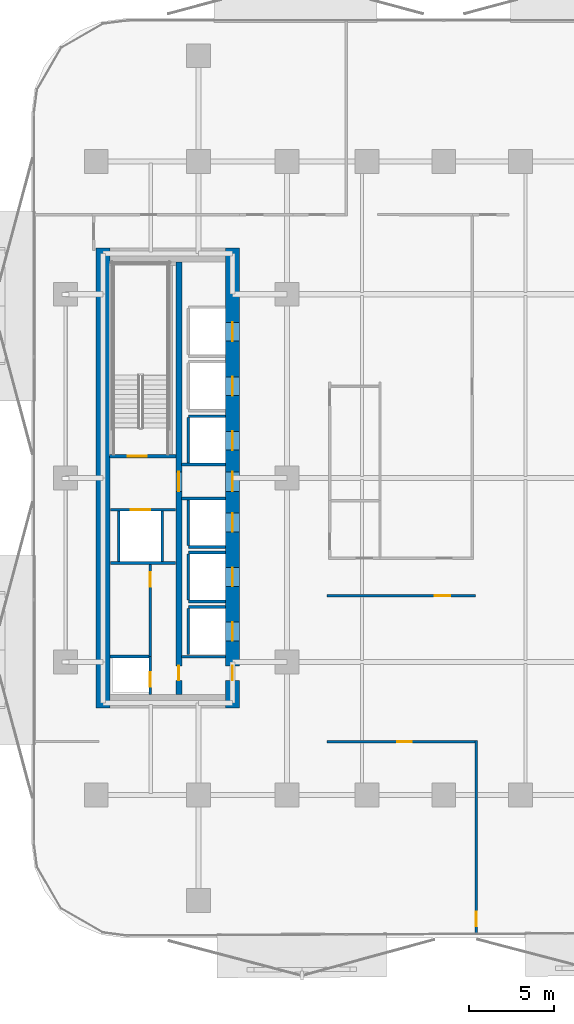
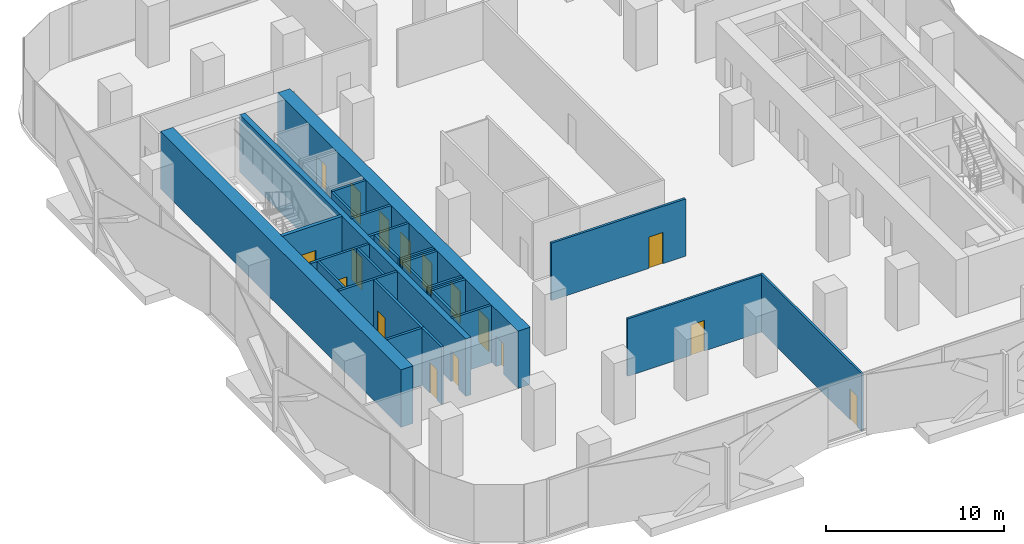
# One storey, part 3 of 15: 26 walls, 17 doors, 17 openings.
"""IFC4 building model written with IfcOpenShell, lengths in metres."""

import ifcopenshell
import ifcopenshell.guid

model = None  # the IFC model being written
_history = None  # IfcOwnerHistory: only IFC2X3 demands one
_inside = {}  # id of a spatial element -> (the spatial element, [elements in it])
_under = {}  # id of a project, library or spatial element -> (it, [spatial elements below it])
_declared = {}  # id of a project -> (the project, [libraries it declares])
_typed = {}  # id of a type object -> (the type object, [elements of that type])
_made_of = {}  # id of a material, layer set ... -> (it, [elements and type objects made of it])


def new_model(schema):
    """Start an empty IFC model of exactly this schema.

    Asked for "IFC4X3", IfcOpenShell would pick the latest addendum, in which some entities
    have other attributes; the version numbers below select the first issue.
    IFC2X3 requires an IfcOwnerHistory on every rooted entity: one is made here for all.
    """
    global model, _history
    if schema == "IFC4X3":
        model = ifcopenshell.file(schema_version=(4, 3, 0, 0))
    else:
        model = ifcopenshell.file(schema=schema)
    _inside.clear()
    _under.clear()
    _declared.clear()
    _typed.clear()
    _made_of.clear()
    _history = None
    if model.schema == "IFC2X3":
        org = make("IfcOrganization", Name="unknown")
        user = make(
            "IfcPersonAndOrganization",
            ThePerson=make("IfcPerson", FamilyName="unknown"),
            TheOrganization=org,
        )
        app = make(
            "IfcApplication",
            ApplicationDeveloper=org,
            Version="unknown",
            ApplicationFullName="unknown",
            ApplicationIdentifier="unknown",
        )
        _history = make(
            "IfcOwnerHistory",
            OwningUser=user,
            OwningApplication=app,
            ChangeAction="ADDED",
            CreationDate=0,
        )
    return model


def make(cls, **values):
    """One entity of the class cls with the attributes given. An attribute that is None is left unset."""
    return model.create_entity(
        cls, **{name: value for name, value in values.items() if value is not None}
    )


def rooted(cls, **values):
    """An entity with a GlobalId (a new one), such as an element, a storey or a relation."""
    return make(cls, GlobalId=ifcopenshell.guid.new(), OwnerHistory=_history, **values)


def si_unit(unit_type, name, prefix=None):
    """IfcSIUnit, for example si_unit("LENGTHUNIT", "METRE", prefix="MILLI")."""
    return make("IfcSIUnit", UnitType=unit_type, Prefix=prefix, Name=name)


def assignment(units):
    """IfcUnitAssignment: the units of a project."""
    return None if units is None else make("IfcUnitAssignment", Units=units)


def point(xyz):
    """IfcCartesianPoint."""
    return None if xyz is None else make("IfcCartesianPoint", Coordinates=xyz)


def direction(xyz):
    """IfcDirection."""
    return None if xyz is None else make("IfcDirection", DirectionRatios=xyz)


def frame(location, z_axis=None, x_axis=None):
    """IfcAxis2Placement3D, a coordinate frame: its origin and axes. An axis left out is left unset."""
    return make(
        "IfcAxis2Placement3D",
        Location=point(location),
        Axis=direction(z_axis),
        RefDirection=direction(x_axis),
    )


def frame_2d(location, x_axis=None):
    """IfcAxis2Placement2D, a coordinate frame in the plane: its origin and x axis."""
    return make(
        "IfcAxis2Placement2D", Location=point(location), RefDirection=direction(x_axis)
    )


def origin():
    """The frame at (0, 0, 0) with its axes left unset."""
    return frame((0.0, 0.0, 0.0))


def place(relative_to, where):
    """IfcLocalPlacement: puts the frame where relative to a parent placement (None: the world)."""
    return make(
        "IfcLocalPlacement", PlacementRelTo=relative_to, RelativePlacement=where
    )


def context(
    kind, dimensions, precision=None, world=None, true_north=None, identifier=None
):
    """IfcGeometricRepresentationContext, for example the 3D "Model" context."""
    return make(
        "IfcGeometricRepresentationContext",
        ContextIdentifier=identifier,
        ContextType=kind,
        CoordinateSpaceDimension=dimensions,
        Precision=precision,
        WorldCoordinateSystem=world,
        TrueNorth=true_north,
    )


def subcontext(parent, identifier, kind, view, scale=None):
    """IfcGeometricRepresentationSubContext, for example "Body" below "Model"."""
    return make(
        "IfcGeometricRepresentationSubContext",
        ContextIdentifier=identifier,
        ContextType=kind,
        ParentContext=parent,
        TargetScale=scale,
        TargetView=view,
    )


def project(units=None, contexts=None):
    """IfcProject with its units and contexts."""
    return rooted(
        "IfcProject",
        Name="project",
        RepresentationContexts=contexts,
        UnitsInContext=assignment(units),
    )


def spatial(cls, under=None, at=None, **own):
    """A site, building, storey or space (cls), placed at a placement, below another one or the project."""
    s = rooted(cls, ObjectPlacement=at, **own)
    if under is not None:
        _under.setdefault(under.id(), (under, []))[1].append(s)
    return s


def profile(cls, at=None, kind="AREA", **sizes):
    """A parametric profile (cls). Its sizes go by their IFC names, for example OverallWidth=200.0."""
    return make(cls, ProfileType=kind, Position=at, **sizes)


def rectangle(**sizes):
    """IfcRectangleProfileDef."""
    return profile("IfcRectangleProfileDef", **sizes)


def extrude(swept, where, along, depth):
    """IfcExtrudedAreaSolid: the profile swept, set in the frame where, extruded along a direction by depth."""
    return make(
        "IfcExtrudedAreaSolid",
        SweptArea=swept,
        Position=where,
        ExtrudedDirection=direction(along),
        Depth=depth,
    )


def shape(context_of_items, identifier, shape_type, items):
    """IfcShapeRepresentation: the items that make up one representation, for example the "Body"."""
    return make(
        "IfcShapeRepresentation",
        ContextOfItems=context_of_items,
        RepresentationIdentifier=identifier,
        RepresentationType=shape_type,
        Items=items,
    )


def material(Name=None, Category=None):
    """IfcMaterial."""
    return make("IfcMaterial", Name=Name, Category=Category)


def layer(
    of_material, thickness, ventilated=None, Name=None, Category=None, Priority=None
):
    """IfcMaterialLayer: one layer of a wall or slab, of a material (None: an air gap)."""
    return make(
        "IfcMaterialLayer",
        Material=of_material,
        LayerThickness=thickness,
        IsVentilated=ventilated,
        Name=Name,
        Category=Category,
        Priority=Priority,
    )


def layer_set(layers, Name=None):
    """IfcMaterialLayerSet."""
    return make("IfcMaterialLayerSet", MaterialLayers=layers, LayerSetName=Name)


def made_of(thing, what):
    """Note that an element or type object is made of a material, layer set ...; save() writes the relation."""
    if what is not None:
        _made_of.setdefault(what.id(), (what, []))[1].append(thing)
    return thing


def type_object(cls, material=None, **own):
    """A type object (cls), such as IfcWallType, which elements share."""
    return made_of(rooted(cls, **own), material)


def element(
    cls,
    number,
    at=None,
    inside=None,
    cuts=None,
    type_object=None,
    material=None,
    context=None,
    identifier="Body",
    shape_type=None,
    held_by="IfcProductDefinitionShape",
    body=None,
    shapes=None,
    **own,
):
    """One element of the class cls, such as IfcWall. Its Tag is "e" and its number.

    at: its placement. inside: the storey or other place that contains it. cuts: it is an
    opening in that element (IfcRelVoidsElement). A single representation is given by context,
    identifier, shape_type and body (its items); several are given by shapes. held_by: the class
    of the entity that holds the representations. save() writes the other relations.
    """
    e = rooted(cls, Tag="e%d" % number, ObjectPlacement=at, **own)
    if body is not None:
        shapes = [shape(context, identifier, shape_type, body)]
    if shapes is not None:
        e.Representation = make(held_by, Representations=shapes)
    if inside is not None:
        _inside.setdefault(inside.id(), (inside, []))[1].append(e)
    if cuts is not None:
        rooted(
            "IfcRelVoidsElement", RelatingBuildingElement=cuts, RelatedOpeningElement=e
        )
    if type_object is not None:
        _typed.setdefault(type_object.id(), (type_object, []))[1].append(e)
    return made_of(e, material)


def fill(opening, filler):
    """IfcRelFillsElement: the door or window that sits in an opening."""
    return rooted(
        "IfcRelFillsElement",
        RelatingOpeningElement=opening,
        RelatedBuildingElement=filler,
    )


def aggregate(whole, parts):
    """IfcRelAggregates: a whole, such as a stair, and the parts it consists of."""
    return rooted("IfcRelAggregates", RelatingObject=whole, RelatedObjects=parts)


def save(model, path):
    """Write the relations noted so far, then the file.

    IfcRelAggregates (storeys below a building ...), IfcRelContainedInSpatialStructure (elements
    in a storey), IfcRelDefinesByType, IfcRelAssociatesMaterial and IfcRelDeclares: one each for
    every whole, place, type object, material and project.
    """
    for whole, parts in _under.values():
        aggregate(whole, parts)
    for where, things in _inside.values():
        rooted(
            "IfcRelContainedInSpatialStructure",
            RelatedElements=things,
            RelatingStructure=where,
        )
    for kind, things in _typed.values():
        rooted("IfcRelDefinesByType", RelatedObjects=things, RelatingType=kind)
    for what, things in _made_of.values():
        rooted("IfcRelAssociatesMaterial", RelatedObjects=things, RelatingMaterial=what)
    for by, libraries in _declared.values():
        rooted("IfcRelDeclares", RelatingContext=by, RelatedDefinitions=libraries)
    model.write(path)


model = new_model("IFC4")

# Units and contexts
model_context = context("Model", 3, precision=1e-05, world=origin(), true_north=direction((0.0, 1.0)))
body_context = subcontext(model_context, "Body", "Model", "MODEL_VIEW")
ifc_project = project(units=[si_unit("LENGTHUNIT", "METRE"), si_unit("AREAUNIT", "SQUARE_METRE"), si_unit("VOLUMEUNIT", "CUBIC_METRE"), si_unit("PLANEANGLEUNIT", "RADIAN"), si_unit("MASSUNIT", "GRAM", prefix="KILO")], contexts=[model_context])

# Site, building, storey
site_placement = place(None, origin())
site = spatial("IfcSite", under=ifc_project, at=site_placement, CompositionType="ELEMENT")
building_placement = place(site_placement, origin())
building = spatial("IfcBuilding", under=site, at=building_placement, Name="Khairoan Windgate Tower", CompositionType="ELEMENT")
storey_placement = place(building_placement, frame((0.0, 0.0, 68.0)))
storey = spatial("IfcBuildingStorey", under=building, at=storey_placement, Name="L16", CompositionType="ELEMENT", Elevation=68.0)

# Walls
ifc_material_1 = material(Name="Concrete C40/50", Category="concrete")
ifc_layer_1 = layer(ifc_material_1, 0.159912109375, Name="Concrete C40/50")
ifc_layer_set_1 = layer_set([ifc_layer_1], Name="Concrete C40/50")
wall_type_1 = type_object("IfcWallType", Name="Core and Hoistway Enclosure Wall", PredefinedType="STANDARD", material=ifc_layer_set_1)
wall_1_placement = place(storey_placement, frame((-14.989990234375, 3.639892578125, 0.0), z_axis=(0.0, 0.0, 1.0), x_axis=(1.0, 0.0, 0.0)))
element("IfcWall", 1, at=wall_1_placement, inside=storey, type_object=wall_type_1, Name="L16 Lift PL3 Hoistway Divider N", PredefinedType="STANDARD", context=body_context, shape_type="SweptSolid", body=[
    extrude(rectangle(XDim=2.18994140625, YDim=0.159912109375, at=frame_2d((1.094970703125, 0.0))), origin(), (0.0, 0.0, 1.0), 3.93994140625),
])
wall_2_placement = place(storey_placement, frame((-14.989990234375, 0.85009765625, 0.0), z_axis=(0.0, 0.0, 1.0), x_axis=(0.0, 1.0, 0.0)))
element("IfcWall", 2, at=wall_2_placement, inside=storey, type_object=wall_type_1, Name="L16 Lift PL3 Hoistway Back Wall", PredefinedType="STANDARD", context=body_context, shape_type="SweptSolid", body=[
    extrude(rectangle(XDim=2.699951171875, YDim=0.159912109375, at=frame_2d((1.35009765625, 0.0))), origin(), (0.0, 0.0, 1.0), 3.93994140625),
])
wall_3_placement = place(storey_placement, frame((-14.989990234375, -4.0400390625, 0.0), z_axis=(0.0, 0.0, 1.0), x_axis=(1.0, 0.0, 0.0)))
element("IfcWall", 3, at=wall_3_placement, inside=storey, type_object=wall_type_1, Name="L16 Lift PL4 Hoistway Divider S", PredefinedType="STANDARD", context=body_context, shape_type="SweptSolid", body=[
    extrude(rectangle(XDim=2.18994140625, YDim=0.159912109375, at=frame_2d((1.094970703125, 0.0))), origin(), (0.0, 0.0, 1.0), 3.93994140625),
])
wall_4_placement = place(storey_placement, frame((-14.989990234375, -3.949951171875, 0.0), z_axis=(0.0, 0.0, 1.0), x_axis=(0.0, 1.0, 0.0)))
element("IfcWall", 4, at=wall_4_placement, inside=storey, type_object=wall_type_1, Name="L16 Lift PL4 Hoistway Back Wall", PredefinedType="STANDARD", context=body_context, shape_type="SweptSolid", body=[
    extrude(rectangle(XDim=2.699951171875, YDim=0.159912109375, at=frame_2d((1.35009765625, 0.0))), origin(), (0.0, 0.0, 1.0), 3.93994140625),
])
for number, where, z_axis, x_axis, name in (
    (5, (-14.989990234375, -7.239990234375, 0.0), (0.0, 0.0, 1.0), (1.0, 0.0, 0.0), "L16 Lift PL5 Hoistway Divider S"),
    (6, (-14.989990234375, -4.360107421875, 0.0), (0.0, 0.0, 1.0), (1.0, 0.0, 0.0), "L16 Lift PL5 Hoistway Divider N"),
):
    element("IfcWall", number, at=place(storey_placement, frame(where, z_axis=z_axis, x_axis=x_axis)), inside=storey, type_object=wall_type_1, Name=name, PredefinedType="STANDARD", context=body_context, shape_type="SweptSolid", body=[
        extrude(rectangle(XDim=2.18994140625, YDim=0.159912109375, at=frame_2d((1.094970703125, 0.0))), origin(), (0.0, 0.0, 1.0), 3.93994140625),
    ])
wall_5_placement = place(storey_placement, frame((-14.989990234375, -7.14990234375, 0.0), z_axis=(0.0, 0.0, 1.0), x_axis=(0.0, 1.0, 0.0)))
element("IfcWall", 7, at=wall_5_placement, inside=storey, type_object=wall_type_1, Name="L16 Lift PL5 Hoistway Back Wall", PredefinedType="STANDARD", context=body_context, shape_type="SweptSolid", body=[
    extrude(rectangle(XDim=2.699951171875, YDim=0.159912109375, at=frame_2d((1.35009765625, 0.0))), origin(), (0.0, 0.0, 1.0), 3.93994140625),
])
wall_6_placement = place(storey_placement, frame((-14.989990234375, -7.56005859375, 0.0), z_axis=(0.0, 0.0, 1.0), x_axis=(1.0, 0.0, 0.0)))
element("IfcWall", 8, at=wall_6_placement, inside=storey, type_object=wall_type_1, Name="L16 Lift PL6 Hoistway Divider N", PredefinedType="STANDARD", context=body_context, shape_type="SweptSolid", body=[
    extrude(rectangle(XDim=2.18994140625, YDim=0.159912109375, at=frame_2d((1.094970703125, 0.0))), origin(), (0.0, 0.0, 1.0), 3.93994140625),
])
wall_7_placement = place(storey_placement, frame((-14.989990234375, -10.35009765625, 0.0), z_axis=(0.0, 0.0, 1.0), x_axis=(0.0, 1.0, 0.0)))
element("IfcWall", 9, at=wall_7_placement, inside=storey, type_object=wall_type_1, Name="L16 Lift PL6 Hoistway Back Wall", PredefinedType="STANDARD", context=body_context, shape_type="SweptSolid", body=[
    extrude(rectangle(XDim=2.7001953125, YDim=0.159912109375, at=frame_2d((1.35009765625, 0.0))), origin(), (0.0, 0.0, 1.0), 3.93994140625),
])

# Wall, opening, door
wall_8_placement = place(storey_placement, frame((-19.550048828125, -1.860107421875, 0.0), z_axis=(0.0, 0.0, 1.0), x_axis=(1.0, 0.0, 0.0)))
wall_8 = element("IfcWall", 10, at=wall_8_placement, inside=storey, type_object=wall_type_1, Name="L16 Core Shaft Wall SW-FL2-L16", PredefinedType="STANDARD", context=body_context, shape_type="SweptSolid", body=[
    extrude(rectangle(XDim=3.800048828125, YDim=0.159912109375, at=frame_2d((1.89990234375, 0.0))), origin(), (0.0, 0.0, 1.0), 3.93994140625),
])
opening_1_placement = place(wall_8_placement, frame((1.179931640625, 0.0, 0.0)))
opening_1 = element("IfcOpeningElement", 11, at=opening_1_placement, cuts=wall_8, Name="Opening LD-FL", PredefinedType="OPENING", context=body_context, shape_type="SweptSolid", body=[
    extrude(rectangle(XDim=1.14990234375, YDim=2.199951171875, at=frame_2d((0.574951171875, 1.10009765625))), frame((0.0, 0.08984375, 0.0), z_axis=(0.0, -1.0, 0.0), x_axis=(1.0, 0.0, 0.0)), (0.0, 0.0, 1.0), 0.179931640625),
])
ifc_material_2 = material(Name="Steel S355", Category="steel")
door_type_1 = type_object("IfcDoorType", Name="Firefighting Lift Sliding Landing Door LD-FL 1150x2200", OperationType="DOUBLE_DOOR_SLIDING", PredefinedType="DOOR", material=ifc_material_2)
door_1_placement = place(opening_1_placement, origin())
door_1 = element("IfcDoor", 12, at=door_1_placement, inside=storey, type_object=door_type_1, Name="L16 Firefighting Lift FL2 Landing Door", OperationType="DOUBLE_DOOR_SLIDING", OverallHeight=2.199951171875, OverallWidth=1.14990234375, PredefinedType="DOOR", context=body_context, shape_type="SweptSolid", body=[
    extrude(rectangle(XDim=1.14990234375, YDim=2.199951171875, at=frame_2d((0.574951171875, 1.10009765625))), frame((0.0, 0.02490234375, 0.0), z_axis=(0.0, -1.0, 0.0), x_axis=(1.0, 0.0, 0.0)), (0.0, 0.0, 1.0), 0.050048828125),
])
fill(opening_1, door_1)

# Walls
wall_9_placement = place(storey_placement, frame((-19.550048828125, -4.97998046875, 0.0), z_axis=(0.0, 0.0, 1.0), x_axis=(1.0, 0.0, 0.0)))
element("IfcWall", 13, at=wall_9_placement, inside=storey, type_object=wall_type_1, Name="L16 Core Shaft Wall SW-FL2B-L16", PredefinedType="STANDARD", context=body_context, shape_type="SweptSolid", body=[
    extrude(rectangle(XDim=3.800048828125, YDim=0.159912109375, at=frame_2d((1.89990234375, 0.0))), origin(), (0.0, 0.0, 1.0), 3.93994140625),
])
for number, where, z_axis, x_axis, name in (
    (14, (-19.080078125, -4.89990234375, 0.0), (0.0, 0.0, 1.0), (0.0, 1.0, 0.0), "L16 Core Shaft Wall SW-FL2W-L16"),
    (15, (-16.52001953125, -4.89990234375, 0.0), (0.0, 0.0, 1.0), (0.0, 1.0, 0.0), "L16 Core Shaft Wall SW-FL2E-L16"),
):
    element("IfcWall", number, at=place(storey_placement, frame(where, z_axis=z_axis, x_axis=x_axis)), inside=storey, type_object=wall_type_1, Name=name, PredefinedType="STANDARD", context=body_context, shape_type="SweptSolid", body=[
        extrude(rectangle(XDim=2.9599609375, YDim=0.159912109375, at=frame_2d((1.47998046875, 0.0))), origin(), (0.0, 0.0, 1.0), 3.93994140625),
    ])
for number, where, z_axis, x_axis, name in (
    (16, (-15.39990234375, 0.800048828125, 0.0), (0.0, 0.0, 1.0), (1.0, 0.0, 0.0), "L16 Core Shaft Wall SW-WV1-L16"),
    (17, (-15.39990234375, -1.199951171875, 0.0), (0.0, 0.0, 1.0), (1.0, 0.0, 0.0), "L16 Core Shaft Wall SW-WV2-L16"),
    (18, (-15.39990234375, -10.47998046875, 0.0), (0.0, 0.0, 1.0), (1.0, 0.0, 0.0), "L16 Core Shaft Wall SW-WSV-L16"),
):
    element("IfcWall", number, at=place(storey_placement, frame(where, z_axis=z_axis, x_axis=x_axis)), inside=storey, type_object=wall_type_1, Name=name, PredefinedType="STANDARD", context=body_context, shape_type="SweptSolid", body=[
        extrude(rectangle(XDim=2.599853515625, YDim=0.159912109375, at=frame_2d((1.2998046875, 0.0))), origin(), (0.0, 0.0, 1.0), 3.93994140625),
    ])

# Wall, opening, door
ifc_material_3 = material(Name="Acoustic Fire-Rated Gypsum Partition", Category="gypsum")
ifc_layer_2 = layer(ifc_material_3, 0.139892578125, Name="Acoustic Fire-Rated Gypsum Partition")
ifc_layer_set_2 = layer_set([ifc_layer_2], Name="Acoustic Fire-Rated Gypsum Partition")
wall_type_2 = type_object("IfcWallType", Name="Inter-Tenancy Compartment Wall", PredefinedType="PARTITIONING", material=ifc_layer_set_2)
wall_10_placement = place(storey_placement, frame((1.904052734375, -26.755615234375, 0.0), z_axis=(0.0, 0.0, 1.0), x_axis=(0.0, 1.0, 0.0)))
wall_10 = element("IfcWall", 19, at=wall_10_placement, inside=storey, type_object=wall_type_2, Name="L16 Interior Partition 030", PredefinedType="PARTITIONING", context=body_context, shape_type="SweptSolid", body=[
    extrude(rectangle(XDim=11.345703125, YDim=0.139892578125, at=frame_2d((5.6728515625, 0.0))), origin(), (0.0, 0.0, 1.0), 3.93994140625),
])
opening_2_placement = place(wall_10_placement, frame((0.4599609375, 0.0, 0.0)))
opening_2 = element("IfcOpeningElement", 20, at=opening_2_placement, cuts=wall_10, Name="Opening FD-SRV", PredefinedType="OPENING", context=body_context, shape_type="SweptSolid", body=[
    extrude(rectangle(XDim=0.85009765625, YDim=2.10009765625, at=frame_2d((0.425048828125, 1.050048828125))), frame((0.0, 0.079833984375, 0.0), z_axis=(0.0, -1.0, 0.0), x_axis=(1.0, 0.0, 0.0)), (0.0, 0.0, 1.0), 0.159912109375),
])
ifc_material_4 = material(Name="Steel S355", Category="steel")
door_type_2 = type_object("IfcDoorType", Name="Core Service and Riser Fire Door FD-SRV 850x2100", OperationType="NOTDEFINED", PredefinedType="DOOR", material=ifc_material_4)
door_2_placement = place(opening_2_placement, origin())
door_2 = element("IfcDoor", 21, at=door_2_placement, inside=storey, type_object=door_type_2, Name="L16 L16-42-L16-43 Door", OperationType="SINGLE_SWING_LEFT", OverallHeight=2.10009765625, OverallWidth=0.85009765625, PredefinedType="DOOR", context=body_context, shape_type="SweptSolid", body=[
    extrude(rectangle(XDim=0.85009765625, YDim=2.10009765625, at=frame_2d((0.425048828125, 1.050048828125))), frame((0.0, 0.02490234375, 0.0), z_axis=(0.0, -1.0, 0.0), x_axis=(1.0, 0.0, 0.0)), (0.0, 0.0, 1.0), 0.050048828125),
])
fill(opening_2, door_2)

wall_11_placement = place(storey_placement, frame((-6.860107421875, -15.47998046875, 0.0), z_axis=(0.0, 0.0, 1.0), x_axis=(1.0, 0.0, 0.0)))
wall_11 = element("IfcWall", 22, at=wall_11_placement, inside=storey, type_object=wall_type_2, Name="L16 Interior Partition 031", PredefinedType="PARTITIONING", context=body_context, shape_type="SweptSolid", body=[
    extrude(rectangle(XDim=8.694091796875, YDim=0.139892578125, at=frame_2d((4.34716796875, 0.0))), origin(), (0.0, 0.0, 1.0), 3.93994140625),
])
opening_3_placement = place(wall_11_placement, frame((4.12548828125, 0.0, 0.0)))
opening_3 = element("IfcOpeningElement", 23, at=opening_3_placement, cuts=wall_11, Name="Opening FD-SRV", PredefinedType="OPENING", context=body_context, shape_type="SweptSolid", body=[
    extrude(rectangle(XDim=0.85009765625, YDim=2.10009765625, at=frame_2d((0.425048828125, 1.050048828125))), frame((0.0, 0.079833984375, 0.0), z_axis=(0.0, -1.0, 0.0), x_axis=(1.0, 0.0, 0.0)), (0.0, 0.0, 1.0), 0.159912109375),
])
door_3_placement = place(opening_3_placement, origin())
door_3 = element("IfcDoor", 24, at=door_3_placement, inside=storey, type_object=door_type_2, Name="L16 L16-42-L16-47 Door", OperationType="SINGLE_SWING_RIGHT", OverallHeight=2.10009765625, OverallWidth=0.85009765625, PredefinedType="DOOR", context=body_context, shape_type="SweptSolid", body=[
    extrude(rectangle(XDim=0.85009765625, YDim=2.10009765625, at=frame_2d((0.425048828125, 1.050048828125))), frame((0.0, 0.02490234375, 0.0), z_axis=(0.0, -1.0, 0.0), x_axis=(1.0, 0.0, 0.0)), (0.0, 0.0, 1.0), 0.050048828125),
])
fill(opening_3, door_3)

ifc_material_5 = material(Name="Concrete C40/50", Category="concrete")
ifc_layer_3 = layer(ifc_material_5, 0.159912109375, Name="Concrete C40/50")
ifc_layer_set_3 = layer_set([ifc_layer_3], Name="Concrete C40/50")
wall_type_3 = type_object("IfcWallType", Name="Plant and Refuge Compartment Wall", PredefinedType="PARTITIONING", material=ifc_layer_set_3)
wall_12_placement = place(storey_placement, frame((-17.22998046875, -12.699951171875, 0.0), z_axis=(0.0, 0.0, 1.0), x_axis=(0.0, 1.0, 0.0)))
wall_12 = element("IfcWall", 25, at=wall_12_placement, inside=storey, type_object=wall_type_3, Name="L16 Interior Partition 001", PredefinedType="PARTITIONING", context=body_context, shape_type="SweptSolid", body=[
    extrude(rectangle(XDim=2.22998046875, YDim=0.159912109375, at=frame_2d((1.114990234375, 0.0))), origin(), (0.0, 0.0, 1.0), 3.93994140625),
])
opening_4_placement = place(wall_12_placement, frame((0.4599609375, 0.0, 0.0)))
opening_4 = element("IfcOpeningElement", 26, at=opening_4_placement, cuts=wall_12, Name="Opening FD-SRV", PredefinedType="OPENING", context=body_context, shape_type="SweptSolid", body=[
    extrude(rectangle(XDim=0.85009765625, YDim=2.10009765625, at=frame_2d((0.425048828125, 1.050048828125))), frame((0.0, 0.08984375, 0.0), z_axis=(0.0, -1.0, 0.0), x_axis=(1.0, 0.0, 0.0)), (0.0, 0.0, 1.0), 0.179931640625),
])
door_4_placement = place(opening_4_placement, origin())
door_4 = element("IfcDoor", 27, at=door_4_placement, inside=storey, type_object=door_type_2, Name="L16 L16-04-L16-05 Door", OperationType="SINGLE_SWING_LEFT", OverallHeight=2.10009765625, OverallWidth=0.85009765625, PredefinedType="DOOR", context=body_context, shape_type="SweptSolid", body=[
    extrude(rectangle(XDim=0.85009765625, YDim=2.10009765625, at=frame_2d((0.425048828125, 1.050048828125))), frame((0.0, 0.02490234375, 0.0), z_axis=(0.0, -1.0, 0.0), x_axis=(1.0, 0.0, 0.0)), (0.0, 0.0, 1.0), 0.050048828125),
])
fill(opening_4, door_4)

wall_13_placement = place(storey_placement, frame((-17.22998046875, -10.469970703125, 0.0), z_axis=(0.0, 0.0, 1.0), x_axis=(0.0, 1.0, 0.0)))
wall_13 = element("IfcWall", 28, at=wall_13_placement, inside=storey, type_object=wall_type_3, Name="L16 Interior Partition 002", PredefinedType="PARTITIONING", context=body_context, shape_type="SweptSolid", body=[
    extrude(rectangle(XDim=5.409912109375, YDim=0.159912109375, at=frame_2d((2.705078125, 0.0))), origin(), (0.0, 0.0, 1.0), 3.93994140625),
])
opening_5_placement = place(wall_13_placement, frame((4.10009765625, 0.0, 0.0)))
opening_5 = element("IfcOpeningElement", 29, at=opening_5_placement, cuts=wall_13, Name="Opening FD-SRV", PredefinedType="OPENING", context=body_context, shape_type="SweptSolid", body=[
    extrude(rectangle(XDim=0.85009765625, YDim=2.10009765625, at=frame_2d((0.425048828125, 1.050048828125))), frame((0.0, 0.08984375, 0.0), z_axis=(0.0, -1.0, 0.0), x_axis=(1.0, 0.0, 0.0)), (0.0, 0.0, 1.0), 0.179931640625),
])
door_5_placement = place(opening_5_placement, origin())
door_5 = element("IfcDoor", 30, at=door_5_placement, inside=storey, type_object=door_type_2, Name="L16 L16-04-L16-06 Door", OperationType="SINGLE_SWING_RIGHT", OverallHeight=2.10009765625, OverallWidth=0.85009765625, PredefinedType="DOOR", context=body_context, shape_type="SweptSolid", body=[
    extrude(rectangle(XDim=0.85009765625, YDim=2.10009765625, at=frame_2d((0.425048828125, 1.050048828125))), frame((0.0, 0.02490234375, 0.0), z_axis=(0.0, -1.0, 0.0), x_axis=(1.0, 0.0, 0.0)), (0.0, 0.0, 1.0), 0.050048828125),
])
fill(opening_5, door_5)

# Wall
wall_14_placement = place(storey_placement, frame((-19.60009765625, -10.469970703125, 0.0), z_axis=(0.0, 0.0, 1.0), x_axis=(1.0, 0.0, 0.0)))
element("IfcWall", 31, at=wall_14_placement, inside=storey, type_object=wall_type_3, Name="L16 Interior Partition 003", PredefinedType="PARTITIONING", context=body_context, shape_type="SweptSolid", body=[
    extrude(rectangle(XDim=2.2900390625, YDim=0.159912109375, at=frame_2d((1.14501953125, 0.0))), origin(), (0.0, 0.0, 1.0), 3.93994140625),
])

# Wall, opening, door
ifc_material_6 = material(Name="Acoustic Fire-Rated Gypsum Partition", Category="gypsum")
ifc_layer_4 = layer(ifc_material_6, 0.14990234375, Name="Acoustic Fire-Rated Gypsum Partition")
ifc_layer_set_4 = layer_set([ifc_layer_4], Name="Acoustic Fire-Rated Gypsum Partition")
wall_type_4 = type_object("IfcWallType", Name="Rated Corridor Partition Wall", PredefinedType="PARTITIONING", material=ifc_layer_set_4)
wall_15_placement = place(storey_placement, frame((-6.860107421875, -6.905029296875, 0.0), z_axis=(0.0, 0.0, 1.0), x_axis=(1.0, 0.0, 0.0)))
wall_15 = element("IfcWall", 32, at=wall_15_placement, inside=storey, type_object=wall_type_4, Name="L16 Interior Partition 013", PredefinedType="PARTITIONING", context=body_context, shape_type="SweptSolid", body=[
    extrude(rectangle(XDim=8.72021484375, YDim=0.14990234375, at=frame_2d((4.360107421875, 0.0))), origin(), (0.0, 0.0, 1.0), 3.93994140625),
])
opening_6_placement = place(wall_15_placement, frame((6.34521484375, 0.0, 0.0)))
opening_6 = element("IfcOpeningElement", 33, at=opening_6_placement, cuts=wall_15, Name="Opening FD-ENT", PredefinedType="OPENING", context=body_context, shape_type="SweptSolid", body=[
    extrude(rectangle(XDim=0.89990234375, YDim=2.14990234375, at=frame_2d((0.449951171875, 1.074951171875))), frame((0.0, 0.0849609375, 0.0), z_axis=(0.0, -1.0, 0.0), x_axis=(1.0, 0.0, 0.0)), (0.0, 0.0, 1.0), 0.169921875),
])
ifc_material_7 = material(Name="Timber Fire-Rated Core", Category="wood")
door_type_3 = type_object("IfcDoorType", Name="Unit and Office Fire Entrance Door FD-ENT 900x2150", OperationType="NOTDEFINED", PredefinedType="DOOR", material=ifc_material_7)
door_6_placement = place(opening_6_placement, origin())
door_6 = element("IfcDoor", 34, at=door_6_placement, inside=storey, type_object=door_type_3, Name="L16 L16-31-L16-47 Door", OperationType="SINGLE_SWING_LEFT", OverallHeight=2.14990234375, OverallWidth=0.89990234375, PredefinedType="DOOR", context=body_context, shape_type="SweptSolid", body=[
    extrude(rectangle(XDim=0.89990234375, YDim=2.14990234375, at=frame_2d((0.449951171875, 1.074951171875))), frame((0.0, 0.02490234375, 0.0), z_axis=(0.0, -1.0, 0.0), x_axis=(1.0, 0.0, 0.0)), (0.0, 0.0, 1.0), 0.050048828125),
])
fill(opening_6, door_6)

# Wall
ifc_material_8 = material(Name="Concrete C70/85", Category="concrete")
ifc_layer_5 = layer(ifc_material_8, 0.800048828125, Name="Concrete C70/85")
ifc_layer_set_5 = layer_set([ifc_layer_5], Name="Concrete C70/85")
wall_type_5 = type_object("IfcWallType", Name="Shear Wall CW-W1 800mm", PredefinedType="SHEAR", material=ifc_layer_set_5)
wall_16_placement = place(storey_placement, frame((-20.0, -13.5, 0.0), z_axis=(0.0, 0.0, 1.0), x_axis=(0.0, 1.0, 0.0)))
element("IfcWall", 35, at=wall_16_placement, inside=storey, type_object=wall_type_5, Name="W Core West Shear Wall L16", PredefinedType="SHEAR", context=body_context, shape_type="SweptSolid", body=[
    extrude(rectangle(XDim=27.0, YDim=0.800048828125, at=frame_2d((13.5, 0.0))), origin(), (0.0, 0.0, 1.0), 3.93994140625),
])

# Wall, openings, doors
wall_17_placement = place(storey_placement, frame((-12.39990234375, -13.5, 0.0), z_axis=(0.0, 0.0, 1.0), x_axis=(0.0, 1.0, 0.0)))
wall_17 = element("IfcWall", 36, at=wall_17_placement, inside=storey, type_object=wall_type_5, Name="W Core East Shear Wall L16", PredefinedType="SHEAR", context=body_context, shape_type="SweptSolid", body=[
    extrude(rectangle(XDim=27.0, YDim=0.800048828125, at=frame_2d((13.5, 0.0))), origin(), (0.0, 0.0, 1.0), 3.93994140625),
])
opening_7_placement = place(wall_17_placement, frame((21.550048828125, 0.0, 0.0)))
opening_7 = element("IfcOpeningElement", 37, at=opening_7_placement, cuts=wall_17, Name="Opening LD-PL", PredefinedType="OPENING", context=body_context, shape_type="SweptSolid", body=[
    extrude(rectangle(XDim=1.10009765625, YDim=2.199951171875, at=frame_2d((0.550048828125, 1.10009765625))), frame((0.0, 0.409912109375, 0.0), z_axis=(0.0, -1.0, 0.0), x_axis=(1.0, 0.0, 0.0)), (0.0, 0.0, 1.0), 0.820068359375),
])
opening_8_placement = place(wall_17_placement, frame((18.35009765625, 0.0, 0.0)))
opening_8 = element("IfcOpeningElement", 38, at=opening_8_placement, cuts=wall_17, Name="Opening LD-PL", PredefinedType="OPENING", context=body_context, shape_type="SweptSolid", body=[
    extrude(rectangle(XDim=1.10009765625, YDim=2.199951171875, at=frame_2d((0.550048828125, 1.10009765625))), frame((0.0, 0.409912109375, 0.0), z_axis=(0.0, -1.0, 0.0), x_axis=(1.0, 0.0, 0.0)), (0.0, 0.0, 1.0), 0.820068359375),
])
opening_9_placement = place(wall_17_placement, frame((15.14990234375, 0.0, 0.0)))
opening_9 = element("IfcOpeningElement", 39, at=opening_9_placement, cuts=wall_17, Name="Opening LD-PL", PredefinedType="OPENING", context=body_context, shape_type="SweptSolid", body=[
    extrude(rectangle(XDim=1.10009765625, YDim=2.199951171875, at=frame_2d((0.550048828125, 1.10009765625))), frame((0.0, 0.409912109375, 0.0), z_axis=(0.0, -1.0, 0.0), x_axis=(1.0, 0.0, 0.0)), (0.0, 0.0, 1.0), 0.820068359375),
])
opening_10_placement = place(wall_17_placement, frame((10.35009765625, 0.0, 0.0)))
opening_10 = element("IfcOpeningElement", 40, at=opening_10_placement, cuts=wall_17, Name="Opening LD-PL", PredefinedType="OPENING", context=body_context, shape_type="SweptSolid", body=[
    extrude(rectangle(XDim=1.10009765625, YDim=2.199951171875, at=frame_2d((0.550048828125, 1.10009765625))), frame((0.0, 0.409912109375, 0.0), z_axis=(0.0, -1.0, 0.0), x_axis=(1.0, 0.0, 0.0)), (0.0, 0.0, 1.0), 0.820068359375),
])
opening_11_placement = place(wall_17_placement, frame((7.14990234375, 0.0, 0.0)))
opening_11 = element("IfcOpeningElement", 41, at=opening_11_placement, cuts=wall_17, Name="Opening LD-PL", PredefinedType="OPENING", context=body_context, shape_type="SweptSolid", body=[
    extrude(rectangle(XDim=1.10009765625, YDim=2.199951171875, at=frame_2d((0.550048828125, 1.10009765625))), frame((0.0, 0.409912109375, 0.0), z_axis=(0.0, -1.0, 0.0), x_axis=(1.0, 0.0, 0.0)), (0.0, 0.0, 1.0), 0.820068359375),
])
opening_12_placement = place(wall_17_placement, frame((3.949951171875, 0.0, 0.0)))
opening_12 = element("IfcOpeningElement", 42, at=opening_12_placement, cuts=wall_17, Name="Opening LD-PL", PredefinedType="OPENING", context=body_context, shape_type="SweptSolid", body=[
    extrude(rectangle(XDim=1.10009765625, YDim=2.199951171875, at=frame_2d((0.550048828125, 1.10009765625))), frame((0.0, 0.409912109375, 0.0), z_axis=(0.0, -1.0, 0.0), x_axis=(1.0, 0.0, 0.0)), (0.0, 0.0, 1.0), 0.820068359375),
])
opening_13_placement = place(wall_17_placement, frame((12.72509765625, 0.0, 0.0)))
opening_13 = element("IfcOpeningElement", 43, at=opening_13_placement, cuts=wall_17, Name="Opening FD-FFL", PredefinedType="OPENING", context=body_context, shape_type="SweptSolid", body=[
    extrude(rectangle(XDim=1.14990234375, YDim=2.199951171875, at=frame_2d((0.574951171875, 1.10009765625))), frame((0.0, 0.409912109375, 0.0), z_axis=(0.0, -1.0, 0.0), x_axis=(1.0, 0.0, 0.0)), (0.0, 0.0, 1.0), 0.820068359375),
])
opening_14_placement = place(wall_17_placement, frame((1.625, 0.0, 0.0)))
opening_14 = element("IfcOpeningElement", 44, at=opening_14_placement, cuts=wall_17, Name="Opening FD-SRV", PredefinedType="OPENING", context=body_context, shape_type="SweptSolid", body=[
    extrude(rectangle(XDim=0.85009765625, YDim=2.10009765625, at=frame_2d((0.425048828125, 1.050048828125))), frame((0.0, 0.409912109375, 0.0), z_axis=(0.0, -1.0, 0.0), x_axis=(1.0, 0.0, 0.0)), (0.0, 0.0, 1.0), 0.820068359375),
])
door_7_placement = place(opening_14_placement, origin())
door_7 = element("IfcDoor", 45, at=door_7_placement, inside=storey, type_object=door_type_2, Name="L16 West Core Service Vestibule Outer Door", OperationType="SINGLE_SWING_LEFT", OverallHeight=2.10009765625, OverallWidth=0.85009765625, PredefinedType="DOOR", context=body_context, shape_type="SweptSolid", body=[
    extrude(rectangle(XDim=0.85009765625, YDim=2.10009765625, at=frame_2d((0.425048828125, 1.050048828125))), frame((0.0, 0.02490234375, 0.0), z_axis=(0.0, -1.0, 0.0), x_axis=(1.0, 0.0, 0.0)), (0.0, 0.0, 1.0), 0.050048828125),
])
fill(opening_14, door_7)
ifc_material_9 = material(Name="Steel S355", Category="steel")
door_type_4 = type_object("IfcDoorType", Name="Firefighting Lobby Fire Door FD-FFL 1150x2200", OperationType="NOTDEFINED", PredefinedType="DOOR", material=ifc_material_9)
door_8_placement = place(opening_13_placement, origin())
door_8 = element("IfcDoor", 46, at=door_8_placement, inside=storey, type_object=door_type_4, Name="L16 West Core Vestibule Entry Door", OperationType="SINGLE_SWING_LEFT", OverallHeight=2.199951171875, OverallWidth=1.14990234375, PredefinedType="DOOR", context=body_context, shape_type="SweptSolid", body=[
    extrude(rectangle(XDim=1.14990234375, YDim=2.199951171875, at=frame_2d((0.574951171875, 1.10009765625))), frame((0.0, 0.02490234375, 0.0), z_axis=(0.0, -1.0, 0.0), x_axis=(1.0, 0.0, 0.0)), (0.0, 0.0, 1.0), 0.050048828125),
])
fill(opening_13, door_8)
ifc_material_10 = material(Name="Anodised Bronze Aluminium 6063-T6", Category="aluminium")
door_type_5 = type_object("IfcDoorType", Name="Passenger Lift Sliding Landing Door LD-PL 1100x2200", OperationType="DOUBLE_DOOR_SLIDING", PredefinedType="DOOR", material=ifc_material_10)
door_9_placement = place(opening_7_placement, origin())
door_9 = element("IfcDoor", 47, at=door_9_placement, inside=storey, type_object=door_type_5, Name="L16 Lift PL1 Sliding Landing Door", OperationType="DOUBLE_DOOR_SLIDING", OverallHeight=2.199951171875, OverallWidth=1.10009765625, PredefinedType="DOOR", context=body_context, shape_type="SweptSolid", body=[
    extrude(rectangle(XDim=1.10009765625, YDim=2.199951171875, at=frame_2d((0.550048828125, 1.10009765625))), frame((0.0, 0.02490234375, 0.0), z_axis=(0.0, -1.0, 0.0), x_axis=(1.0, 0.0, 0.0)), (0.0, 0.0, 1.0), 0.050048828125),
])
fill(opening_7, door_9)
door_10_placement = place(opening_8_placement, origin())
door_10 = element("IfcDoor", 48, at=door_10_placement, inside=storey, type_object=door_type_5, Name="L16 Lift PL2 Sliding Landing Door", OperationType="DOUBLE_DOOR_SLIDING", OverallHeight=2.199951171875, OverallWidth=1.10009765625, PredefinedType="DOOR", context=body_context, shape_type="SweptSolid", body=[
    extrude(rectangle(XDim=1.10009765625, YDim=2.199951171875, at=frame_2d((0.550048828125, 1.10009765625))), frame((0.0, 0.02490234375, 0.0), z_axis=(0.0, -1.0, 0.0), x_axis=(1.0, 0.0, 0.0)), (0.0, 0.0, 1.0), 0.050048828125),
])
fill(opening_8, door_10)
door_11_placement = place(opening_9_placement, origin())
door_11 = element("IfcDoor", 49, at=door_11_placement, inside=storey, type_object=door_type_5, Name="L16 Lift PL3 Sliding Landing Door", OperationType="DOUBLE_DOOR_SLIDING", OverallHeight=2.199951171875, OverallWidth=1.10009765625, PredefinedType="DOOR", context=body_context, shape_type="SweptSolid", body=[
    extrude(rectangle(XDim=1.10009765625, YDim=2.199951171875, at=frame_2d((0.550048828125, 1.10009765625))), frame((0.0, 0.02490234375, 0.0), z_axis=(0.0, -1.0, 0.0), x_axis=(1.0, 0.0, 0.0)), (0.0, 0.0, 1.0), 0.050048828125),
])
fill(opening_9, door_11)
door_12_placement = place(opening_10_placement, origin())
door_12 = element("IfcDoor", 50, at=door_12_placement, inside=storey, type_object=door_type_5, Name="L16 Lift PL4 Sliding Landing Door", OperationType="DOUBLE_DOOR_SLIDING", OverallHeight=2.199951171875, OverallWidth=1.10009765625, PredefinedType="DOOR", context=body_context, shape_type="SweptSolid", body=[
    extrude(rectangle(XDim=1.10009765625, YDim=2.199951171875, at=frame_2d((0.550048828125, 1.10009765625))), frame((0.0, 0.02490234375, 0.0), z_axis=(0.0, -1.0, 0.0), x_axis=(1.0, 0.0, 0.0)), (0.0, 0.0, 1.0), 0.050048828125),
])
fill(opening_10, door_12)
door_13_placement = place(opening_11_placement, origin())
door_13 = element("IfcDoor", 51, at=door_13_placement, inside=storey, type_object=door_type_5, Name="L16 Lift PL5 Sliding Landing Door", OperationType="DOUBLE_DOOR_SLIDING", OverallHeight=2.199951171875, OverallWidth=1.10009765625, PredefinedType="DOOR", context=body_context, shape_type="SweptSolid", body=[
    extrude(rectangle(XDim=1.10009765625, YDim=2.199951171875, at=frame_2d((0.550048828125, 1.10009765625))), frame((0.0, 0.02490234375, 0.0), z_axis=(0.0, -1.0, 0.0), x_axis=(1.0, 0.0, 0.0)), (0.0, 0.0, 1.0), 0.050048828125),
])
fill(opening_11, door_13)
door_14_placement = place(opening_12_placement, origin())
door_14 = element("IfcDoor", 52, at=door_14_placement, inside=storey, type_object=door_type_5, Name="L16 Lift PL6 Sliding Landing Door", OperationType="DOUBLE_DOOR_SLIDING", OverallHeight=2.199951171875, OverallWidth=1.10009765625, PredefinedType="DOOR", context=body_context, shape_type="SweptSolid", body=[
    extrude(rectangle(XDim=1.10009765625, YDim=2.199951171875, at=frame_2d((0.550048828125, 1.10009765625))), frame((0.0, 0.02490234375, 0.0), z_axis=(0.0, -1.0, 0.0), x_axis=(1.0, 0.0, 0.0)), (0.0, 0.0, 1.0), 0.050048828125),
])
fill(opening_12, door_14)

ifc_material_11 = material(Name="Concrete C60/75", Category="concrete")
ifc_layer_6 = layer(ifc_material_11, 0.35009765625, Name="Concrete C60/75")
ifc_layer_set_6 = layer_set([ifc_layer_6], Name="Concrete C60/75")
wall_type_6 = type_object("IfcWallType", Name="Shear Wall SW-1 350mm", PredefinedType="SHEAR", material=ifc_layer_set_6)
wall_18_placement = place(storey_placement, frame((-15.550048828125, -12.699951171875, 0.0), z_axis=(0.0, 0.0, 1.0), x_axis=(0.0, 1.0, 0.0)))
wall_18 = element("IfcWall", 53, at=wall_18_placement, inside=storey, type_object=wall_type_6, Name="W Core Spine Shear Wall L16", PredefinedType="SHEAR", context=body_context, shape_type="SweptSolid", body=[
    extrude(rectangle(XDim=25.39990234375, YDim=0.35009765625, at=frame_2d((12.699951171875, 0.0))), origin(), (0.0, 0.0, 1.0), 3.93994140625),
])
opening_15_placement = place(wall_18_placement, frame((11.925048828125, 0.0, 0.0)))
opening_15 = element("IfcOpeningElement", 54, at=opening_15_placement, cuts=wall_18, Name="Opening FD-FFL", PredefinedType="OPENING", context=body_context, shape_type="SweptSolid", body=[
    extrude(rectangle(XDim=1.14990234375, YDim=2.199951171875, at=frame_2d((0.574951171875, 1.10009765625))), frame((0.0, 0.18505859375, 0.0), z_axis=(0.0, -1.0, 0.0), x_axis=(1.0, 0.0, 0.0)), (0.0, 0.0, 1.0), 0.3701171875),
])
opening_16_placement = place(wall_18_placement, frame((0.824951171875, 0.0, 0.0)))
opening_16 = element("IfcOpeningElement", 55, at=opening_16_placement, cuts=wall_18, Name="Opening FD-SRV", PredefinedType="OPENING", context=body_context, shape_type="SweptSolid", body=[
    extrude(rectangle(XDim=0.85009765625, YDim=2.10009765625, at=frame_2d((0.425048828125, 1.050048828125))), frame((0.0, 0.18505859375, 0.0), z_axis=(0.0, -1.0, 0.0), x_axis=(1.0, 0.0, 0.0)), (0.0, 0.0, 1.0), 0.3701171875),
])
door_15_placement = place(opening_16_placement, origin())
door_15 = element("IfcDoor", 56, at=door_15_placement, inside=storey, type_object=door_type_2, Name="L16 West Core Service Passage Inner Door", OperationType="SINGLE_SWING_RIGHT", OverallHeight=2.10009765625, OverallWidth=0.85009765625, PredefinedType="DOOR", context=body_context, shape_type="SweptSolid", body=[
    extrude(rectangle(XDim=0.85009765625, YDim=2.10009765625, at=frame_2d((0.425048828125, 1.050048828125))), frame((0.0, 0.02490234375, 0.0), z_axis=(0.0, -1.0, 0.0), x_axis=(1.0, 0.0, 0.0)), (0.0, 0.0, 1.0), 0.050048828125),
])
fill(opening_16, door_15)
door_16_placement = place(opening_15_placement, origin())
door_16 = element("IfcDoor", 57, at=door_16_placement, inside=storey, type_object=door_type_4, Name="L16 West Firefighting Lobby Fire Door", OperationType="SINGLE_SWING_RIGHT", OverallHeight=2.199951171875, OverallWidth=1.14990234375, PredefinedType="DOOR", context=body_context, shape_type="SweptSolid", body=[
    extrude(rectangle(XDim=1.14990234375, YDim=2.199951171875, at=frame_2d((0.574951171875, 1.10009765625))), frame((0.0, 0.02490234375, 0.0), z_axis=(0.0, -1.0, 0.0), x_axis=(1.0, 0.0, 0.0)), (0.0, 0.0, 1.0), 0.050048828125),
])
fill(opening_15, door_16)

# Wall, opening, door
ifc_material_12 = material(Name="Concrete C50/60", Category="concrete")
ifc_layer_7 = layer(ifc_material_12, 0.219970703125, Name="Concrete C50/60")
ifc_layer_set_7 = layer_set([ifc_layer_7], Name="Concrete C50/60")
wall_type_7 = type_object("IfcWallType", Name="Shear Wall SW-ST 220mm", PredefinedType="SHEAR", material=ifc_layer_set_7)
wall_19_placement = place(storey_placement, frame((-19.6201171875, 1.2900390625, 0.0), z_axis=(0.0, 0.0, 1.0), x_axis=(1.0, 0.0, 0.0)))
wall_19 = element("IfcWall", 58, at=wall_19_placement, inside=storey, type_object=wall_type_7, Name="L16 Stair ST2 South Bearing Wall", PredefinedType="SHEAR", context=body_context, shape_type="SweptSolid", body=[
    extrude(rectangle(XDim=3.9150390625, YDim=0.219970703125, at=frame_2d((1.95751953125, 0.0))), origin(), (0.0, 0.0, 1.0), 3.93994140625),
])
opening_17_placement = place(wall_19_placement, frame((1.080078125, 0.0, 0.0)))
opening_17 = element("IfcOpeningElement", 59, at=opening_17_placement, cuts=wall_19, Name="Opening FD-ST", PredefinedType="OPENING", context=body_context, shape_type="SweptSolid", body=[
    extrude(rectangle(XDim=1.10009765625, YDim=2.199951171875, at=frame_2d((0.550048828125, 1.10009765625))), frame((0.0, 0.119873046875, 0.0), z_axis=(0.0, -1.0, 0.0), x_axis=(1.0, 0.0, 0.0)), (0.0, 0.0, 1.0), 0.239990234375),
])
ifc_material_13 = material(Name="Steel S355", Category="steel")
door_type_6 = type_object("IfcDoorType", Name="Smokeproof Stair Fire Door FD-ST 1100x2200", OperationType="NOTDEFINED", PredefinedType="DOOR", material=ifc_material_13)
door_17_placement = place(opening_17_placement, origin())
door_17 = element("IfcDoor", 60, at=door_17_placement, inside=storey, type_object=door_type_6, Name="L16 Stair ST2 Fire Door", OperationType="SINGLE_SWING_RIGHT", OverallHeight=2.199951171875, OverallWidth=1.10009765625, PredefinedType="DOOR", context=body_context, shape_type="SweptSolid", body=[
    extrude(rectangle(XDim=1.10009765625, YDim=2.199951171875, at=frame_2d((0.550048828125, 1.10009765625))), frame((0.0, 0.02490234375, 0.0), z_axis=(0.0, -1.0, 0.0), x_axis=(1.0, 0.0, 0.0)), (0.0, 0.0, 1.0), 0.050048828125),
])
fill(opening_17, door_17)

save(model, "model.ifc")
